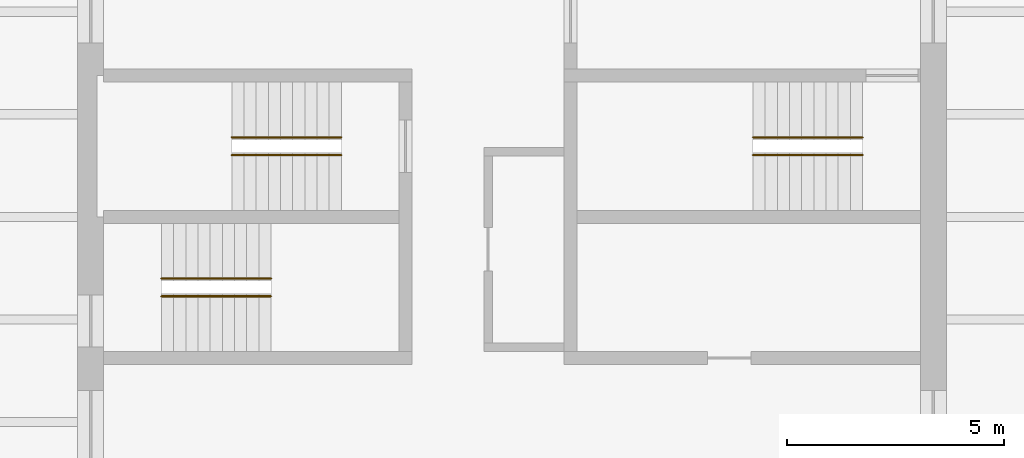
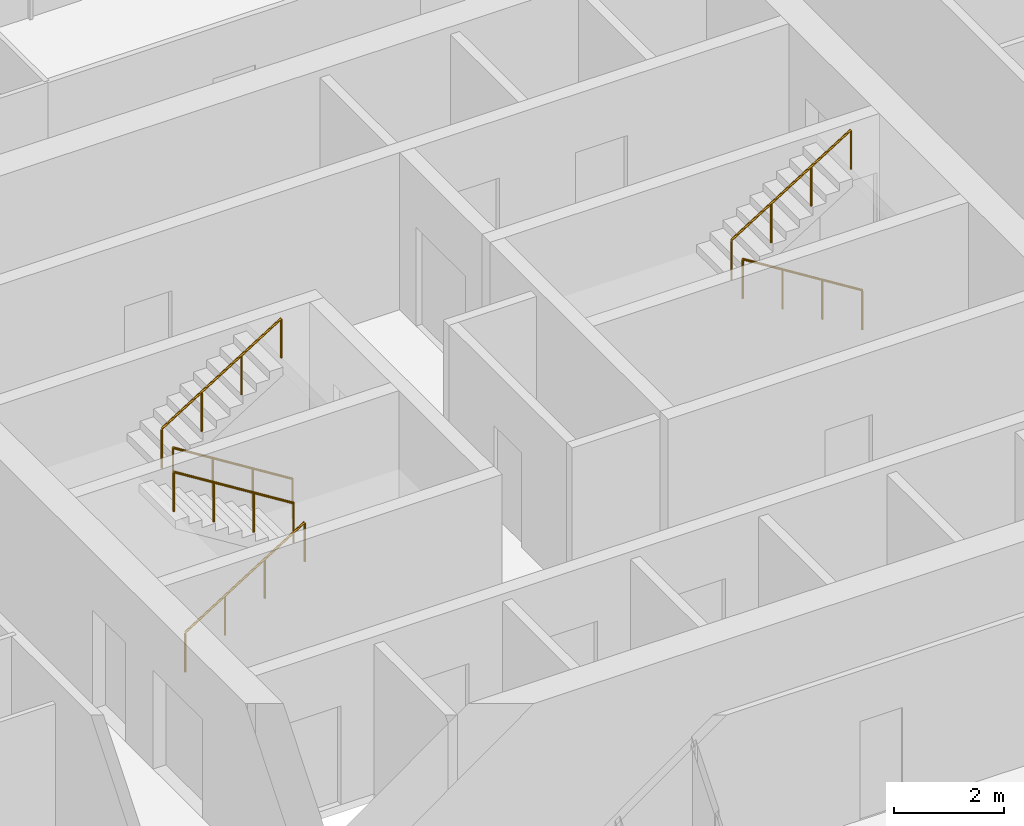
# One storey, part 17 of 17: 6 railings.
"""IFC4 building model written with IfcOpenShell, lengths in metres."""

from ifc_helpers import new_model, si_unit, direction, frame, origin, origin_2d, place, context, subcontext, project, spatial, circle, extrude, material, type_object, element, save


model = new_model("IFC4")

# Units and contexts
model_context = context("Model", 3, precision=1e-05, world=origin(), true_north=direction((0.0, 1.0)))
body_context = subcontext(model_context, "Body", "Model", "MODEL_VIEW")
ifc_project = project(units=[si_unit("LENGTHUNIT", "METRE"), si_unit("AREAUNIT", "SQUARE_METRE"), si_unit("VOLUMEUNIT", "CUBIC_METRE"), si_unit("PLANEANGLEUNIT", "RADIAN"), si_unit("MASSUNIT", "GRAM", prefix="KILO")], contexts=[model_context])

# Site, building, storey
site_placement = place(None, origin())
site = spatial("IfcSite", under=ifc_project, at=site_placement, CompositionType="ELEMENT")
building_placement = place(site_placement, origin())
building = spatial("IfcBuilding", under=site, at=building_placement, Name="Turquesa Mirador Hotel Tower", CompositionType="ELEMENT")
storey_placement = place(building_placement, frame((0.0, 0.0, 254.699951171875)))
storey = spatial("IfcBuildingStorey", under=building, at=storey_placement, Name="L69", CompositionType="ELEMENT", Elevation=254.699951171875)

# Railings
ifc_material = material(Name="Painted steel handrail", Category="steel")
railing_type = type_object("IfcRailingType", Name="HANDRAIL 900 STEEL", PredefinedType="HANDRAIL", material=ifc_material)
railing_1_placement = place(storey_placement, frame((51.070068359375, 46.419921875, 0.175048828125)))
element("IfcRailing", 1, at=railing_1_placement, inside=storey, type_object=railing_type, Name="Handrail ST1", PredefinedType="HANDRAIL", context=body_context, shape_type="SweptSolid", body=[
    extrude(circle(Radius=0.02392578125, at=origin_2d()), frame((0.0, 0.0, 0.8759765625), z_axis=(-0.848007534815, 0.0, 0.529984170421), x_axis=(0.0, -1.0, 0.0)), (0.0, 0.0, 1.0), 2.9716796875),
    extrude(circle(Radius=0.02099609375, at=origin_2d()), origin(), (0.0, 0.0, 1.0), 0.851806640625),
    extrude(circle(Radius=0.02099609375, at=origin_2d()), frame((-0.840087890625, 0.0, 0.52490234375)), (0.0, 0.0, 1.0), 0.851806640625),
    extrude(circle(Radius=0.02099609375, at=origin_2d()), frame((-1.679931640625, 0.0, 1.050048828125)), (0.0, 0.0, 1.0), 0.851806640625),
    extrude(circle(Radius=0.02099609375, at=origin_2d()), frame((-2.52001953125, 0.0, 1.574951171875)), (0.0, 0.0, 1.0), 0.851806640625),
])
for number, where, name in (
    (2, (48.550048828125, 46.830078125, 1.925048828125), "Handrail ST1"),
    (3, (46.929931640625, 43.169921875, 0.175048828125), "Handrail ST2"),
):
    element("IfcRailing", number, at=place(storey_placement, frame(where)), inside=storey, type_object=railing_type, Name=name, PredefinedType="HANDRAIL", context=body_context, shape_type="SweptSolid", body=[
        extrude(circle(Radius=0.02392578125, at=origin_2d()), frame((0.0, 0.0, 0.8759765625), z_axis=(0.848007534815, 0.0, 0.529984170421), x_axis=(0.0, 1.0, 0.0)), (0.0, 0.0, 1.0), 2.9716796875),
        extrude(circle(Radius=0.02099609375, at=origin_2d()), origin(), (0.0, 0.0, 1.0), 0.851806640625),
        extrude(circle(Radius=0.02099609375, at=origin_2d()), frame((0.840087890625, 0.0, 0.52490234375)), (0.0, 0.0, 1.0), 0.851806640625),
        extrude(circle(Radius=0.02099609375, at=origin_2d()), frame((1.679931640625, 0.0, 1.050048828125)), (0.0, 0.0, 1.0), 0.851806640625),
        extrude(circle(Radius=0.02099609375, at=origin_2d()), frame((2.52001953125, 0.0, 1.574951171875)), (0.0, 0.0, 1.0), 0.851806640625),
    ])
for number, where, name in (
    (4, (49.449951171875, 43.580078125, 1.925048828125), "Handrail ST2"),
    (5, (63.070068359375, 46.419921875, 0.175048828125), "Handrail ST3"),
):
    element("IfcRailing", number, at=place(storey_placement, frame(where)), inside=storey, type_object=railing_type, Name=name, PredefinedType="HANDRAIL", context=body_context, shape_type="SweptSolid", body=[
        extrude(circle(Radius=0.02392578125, at=origin_2d()), frame((0.0, 0.0, 0.8759765625), z_axis=(-0.848007534815, 0.0, 0.529984170421), x_axis=(0.0, -1.0, 0.0)), (0.0, 0.0, 1.0), 2.9716796875),
        extrude(circle(Radius=0.02099609375, at=origin_2d()), origin(), (0.0, 0.0, 1.0), 0.851806640625),
        extrude(circle(Radius=0.02099609375, at=origin_2d()), frame((-0.840087890625, 0.0, 0.52490234375)), (0.0, 0.0, 1.0), 0.851806640625),
        extrude(circle(Radius=0.02099609375, at=origin_2d()), frame((-1.679931640625, 0.0, 1.050048828125)), (0.0, 0.0, 1.0), 0.851806640625),
        extrude(circle(Radius=0.02099609375, at=origin_2d()), frame((-2.52001953125, 0.0, 1.574951171875)), (0.0, 0.0, 1.0), 0.851806640625),
    ])
railing_2_placement = place(storey_placement, frame((60.550048828125, 46.830078125, 1.925048828125)))
element("IfcRailing", 6, at=railing_2_placement, inside=storey, type_object=railing_type, Name="Handrail ST3", PredefinedType="HANDRAIL", context=body_context, shape_type="SweptSolid", body=[
    extrude(circle(Radius=0.02392578125, at=origin_2d()), frame((0.0, 0.0, 0.8759765625), z_axis=(0.848007534815, 0.0, 0.529984170421), x_axis=(0.0, 1.0, 0.0)), (0.0, 0.0, 1.0), 2.9716796875),
    extrude(circle(Radius=0.02099609375, at=origin_2d()), origin(), (0.0, 0.0, 1.0), 0.851806640625),
    extrude(circle(Radius=0.02099609375, at=origin_2d()), frame((0.840087890625, 0.0, 0.52490234375)), (0.0, 0.0, 1.0), 0.851806640625),
    extrude(circle(Radius=0.02099609375, at=origin_2d()), frame((1.679931640625, 0.0, 1.050048828125)), (0.0, 0.0, 1.0), 0.851806640625),
    extrude(circle(Radius=0.02099609375, at=origin_2d()), frame((2.52001953125, 0.0, 1.574951171875)), (0.0, 0.0, 1.0), 0.851806640625),
])

save(model, "model.ifc")
